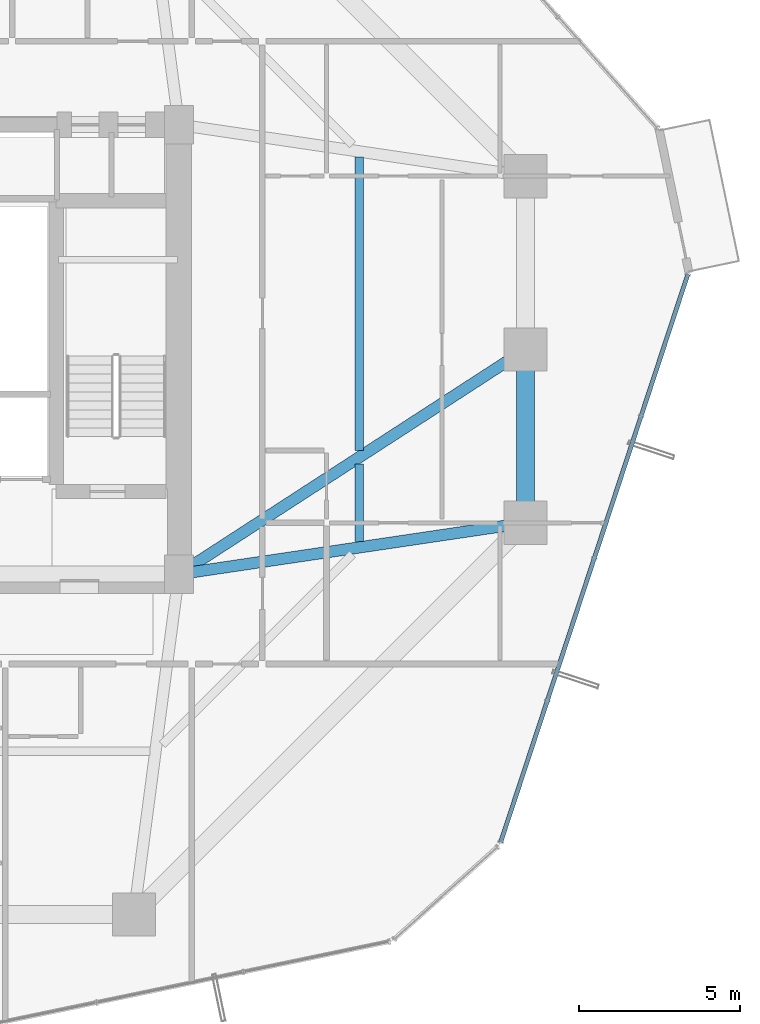
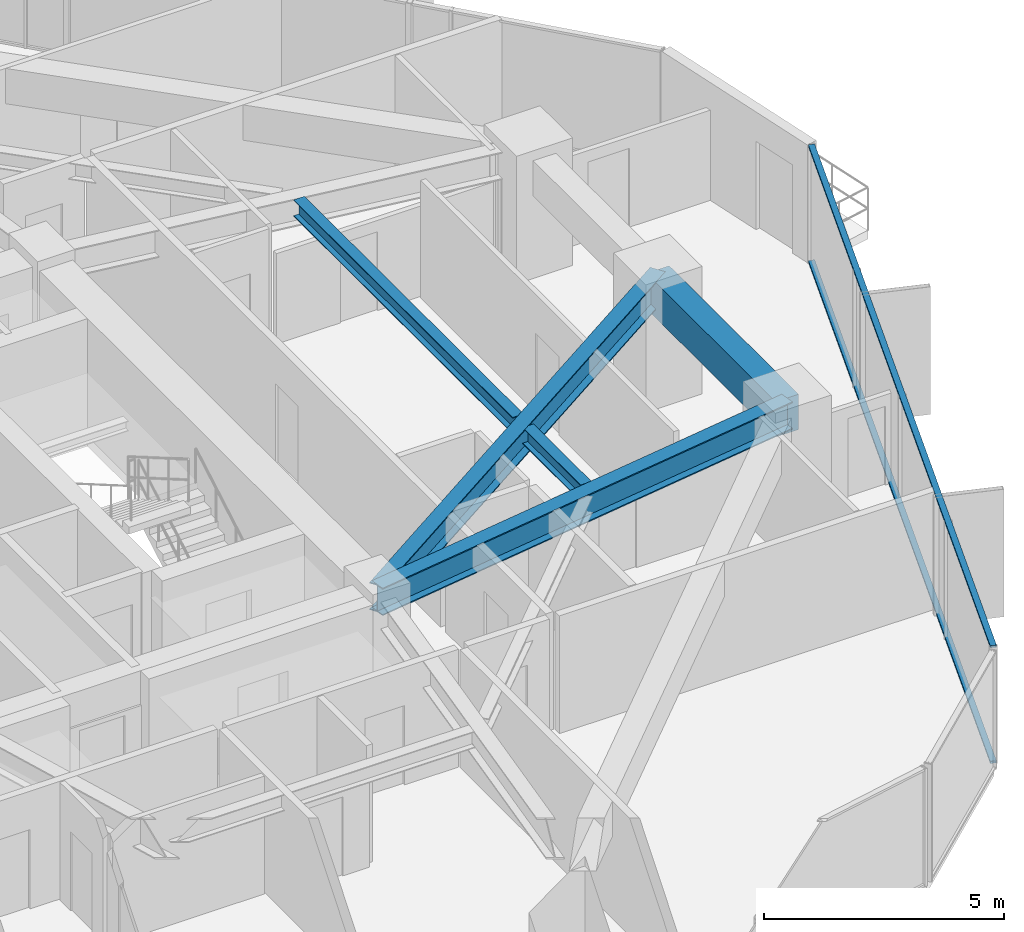
# One storey, part 17 of 38: 5 beams, 2 members, 1 element without a shape of its own.
"""IFC4 building model written with IfcOpenShell, lengths in metres."""

from ifc_helpers import new_model, si_unit, direction, frame, origin, origin_2d, place, context, subcontext, project, spatial, rectangle, hollow_rectangle, i_section, extrude, source, transform, mapped, material, layer, layer_set, material_profile, profile_set, type_object, element, aggregate, save


model = new_model("IFC4")

# Units and contexts
model_context = context("Model", 3, precision=1e-05, world=origin(), true_north=direction((0.0, 1.0)))
body_context = subcontext(model_context, "Body", "Model", "MODEL_VIEW")
ifc_project = project(units=[si_unit("LENGTHUNIT", "METRE"), si_unit("AREAUNIT", "SQUARE_METRE"), si_unit("VOLUMEUNIT", "CUBIC_METRE"), si_unit("PLANEANGLEUNIT", "RADIAN"), si_unit("MASSUNIT", "GRAM", prefix="KILO")], contexts=[model_context])

# Site, building, storey
site_placement = place(None, origin())
site = spatial("IfcSite", under=ifc_project, at=site_placement, CompositionType="ELEMENT")
building_placement = place(site_placement, origin())
building = spatial("IfcBuilding", under=site, at=building_placement, Name="Veraguas Prism Commons", CompositionType="ELEMENT")
storey_placement = place(building_placement, frame((0.0, 0.0, 64.10009765625)))
storey = spatial("IfcBuildingStorey", under=building, at=storey_placement, Name="L17", CompositionType="ELEMENT", Elevation=64.10009765625)

# Beams
ifc_material_1 = material(Name="Steel ASTM A992 Grade 50", Category="steel")
ifc_material_profile_1 = material_profile(ifc_material_1, i_section(OverallWidth=0.260986328125, OverallDepth=0.419921875, WebThickness=0.01171875, FlangeThickness=0.019287109375, at=origin_2d()), Name="W410X114")
ifc_profile_set_1 = profile_set([ifc_material_profile_1], Name="Steel ASTM A992 Grade 50")
beam_type_1 = type_object("IfcBeamType", Name="Lower Floor Joist W410x114", PredefinedType="JOIST", material=ifc_profile_set_1)
beam_1_placement = place(storey_placement, frame((36.416015625, 18.010009765625, 2.789794921875), z_axis=(0.0, 1.0, 0.0), x_axis=(-1.0, 0.0, 0.0)))
element("IfcBeam", 1, at=beam_1_placement, inside=storey, type_object=beam_type_1, Name="Composite Floor Joist L17-JS01", PredefinedType="JOIST", context=body_context, shape_type="SweptSolid", body=[
    extrude(i_section(OverallWidth=0.260986328125, OverallDepth=0.419921875, WebThickness=0.01171875, FlangeThickness=0.019287109375, at=origin_2d()), origin(), (0.0, 0.0, 1.0), 2.42041015625),
])
beam_2_placement = place(storey_placement, frame((36.416015625, 20.849609375, 2.789794921875), z_axis=(0.0, 1.0, 0.0), x_axis=(-1.0, 0.0, 0.0)))
element("IfcBeam", 2, at=beam_2_placement, inside=storey, type_object=beam_type_1, Name="Composite Floor Joist L17-JS02", PredefinedType="JOIST", context=body_context, shape_type="SweptSolid", body=[
    extrude(i_section(OverallWidth=0.260986328125, OverallDepth=0.419921875, WebThickness=0.01171875, FlangeThickness=0.019287109375, at=origin_2d()), origin(), (0.0, 0.0, 1.0), 9.140380859375),
])
ifc_material_2 = material(Name="Concrete C50/60", Category="concrete")
ifc_material_profile_2 = material_profile(ifc_material_2, rectangle(XDim=0.550048828125, YDim=0.89990234375, at=origin_2d()), Name="RC550X900")
ifc_profile_set_2 = profile_set([ifc_material_profile_2], Name="Concrete C50/60")
beam_type_2 = type_object("IfcBeamType", Name="Perimeter Spandrel Lower RC 550x900", PredefinedType="SPANDREL", material=ifc_profile_set_2)
beam_3_placement = place(storey_placement, frame((41.60009765625, 18.60009765625, 2.5498046875), z_axis=(0.0, 1.0, 0.0), x_axis=(-1.0, 0.0, 0.0)))
element("IfcBeam", 3, at=beam_3_placement, inside=storey, type_object=beam_type_2, Name="Perimeter Spandrel Beam L17-SP01", PredefinedType="SPANDREL", context=body_context, shape_type="SweptSolid", body=[
    extrude(rectangle(XDim=0.550048828125, YDim=0.89990234375, at=origin_2d()), origin(), (0.0, 0.0, 1.0), 5.39990234375),
])
ifc_material_profile_3 = material_profile(ifc_material_1, i_section(OverallWidth=0.35595703125, OverallDepth=0.700927734375, WebThickness=0.016845703125, FlangeThickness=0.02734375, at=origin_2d()), Name="W690X240")
ifc_profile_set_3 = profile_set([ifc_material_profile_3], Name="Steel ASTM A992 Grade 50")
beam_type_3 = type_object("IfcBeamType", Name="Zone 1 Radial Girder W690x240", PredefinedType="BEAM", material=ifc_profile_set_3)
beam_4_placement = place(storey_placement, frame((41.60009765625, 18.60009765625, 2.6494140625), z_axis=(-0.989202261707, -0.146556765224, 0.0), x_axis=(0.146556765224, -0.989202261707, 0.0)))
element("IfcBeam", 4, at=beam_4_placement, inside=storey, type_object=beam_type_3, Name="Radial Floor Girder L17-RD01", PredefinedType="BEAM", context=body_context, shape_type="SweptSolid", body=[
    extrude(i_section(OverallWidth=0.35595703125, OverallDepth=0.700927734375, WebThickness=0.016845703125, FlangeThickness=0.02734375, at=origin_2d()), origin(), (0.0, 0.0, 1.0), 10.91796875),
])
beam_5_placement = place(storey_placement, frame((41.60009765625, 24.0, 2.6494140625), z_axis=(-0.839154108875, -0.543893722668, 0.0), x_axis=(0.543893722668, -0.839154108875, 0.0)))
element("IfcBeam", 5, at=beam_5_placement, inside=storey, type_object=beam_type_3, Name="Radial Floor Girder L17-RD02", PredefinedType="BEAM", context=body_context, shape_type="SweptSolid", body=[
    extrude(i_section(OverallWidth=0.35595703125, OverallDepth=0.700927734375, WebThickness=0.016845703125, FlangeThickness=0.02734375, at=origin_2d()), origin(), (0.0, 0.0, 1.0), 12.8701171875),
])

# Curtain wall, members
ifc_material_3 = material(Name="Anodised aluminium EN AW-6063 T6", Category="aluminium")
ifc_layer = layer(ifc_material_3, 0.169921875, Name="Unitised Flush Curtain Wall Zone 1", Category="aluminium")
ifc_layer_set = layer_set([ifc_layer], Name="Anodised aluminium EN AW-6063 T6")
curtain_wall_type = type_object("IfcCurtainWallType", Name="Unitised Flush Curtain Wall Zone 1", PredefinedType="NOTDEFINED", material=ifc_layer_set)
curtain_wall_placement = place(storey_placement, origin())
curtain_wall = element("IfcCurtainWall", 6, at=curtain_wall_placement, inside=storey, type_object=curtain_wall_type, Name="Tower Facade Curtain Wall L17-F6", PredefinedType="NOTDEFINED")
ifc_material_profile_4 = material_profile(ifc_material_3, hollow_rectangle(XDim=0.054931640625, YDim=0.135009765625, WallThickness=0.0029296875, at=origin_2d()), Name="AL55X135X3")
ifc_profile_set_4 = profile_set([ifc_material_profile_4], Name="Anodised aluminium EN AW-6063 T6")
member_type = type_object("IfcMemberType", Name="Curtain Wall Transom Standard AL 55x135x3", PredefinedType="USERDEFINED", material=ifc_profile_set_4)
shared_shape = source(origin(), body_context, "Body", "SweptSolid", [
    extrude(hollow_rectangle(XDim=0.054931640625, YDim=0.135009765625, WallThickness=0.0029296875, at=origin_2d()), origin(), (0.0, 0.0, 1.0), 18.6240234375),
])
member_1_placement = place(storey_placement, frame((40.82568359375, 8.650390625, 0.02734375), z_axis=(0.312989325519, 0.949756643626, 0.0), x_axis=(0.0, 0.0, 1.0)))
member_1 = element("IfcMember", 7, at=member_1_placement, type_object=member_type, Name="CW-Z1 Transom 1", ObjectType="TRANSOM", PredefinedType="USERDEFINED", context=body_context, shape_type="MappedRepresentation", body=[
    mapped(shared_shape, transform((0.0, 0.0, 0.0), scale=1.0)),
])
member_2_placement = place(storey_placement, frame((40.82568359375, 8.650390625, 2.972412109375), z_axis=(0.312989325519, 0.949756643626, 0.0), x_axis=(0.0, 0.0, 1.0)))
member_2 = element("IfcMember", 8, at=member_2_placement, type_object=member_type, Name="CW-Z1 Transom 2", ObjectType="TRANSOM", PredefinedType="USERDEFINED", context=body_context, shape_type="MappedRepresentation", body=[
    mapped(shared_shape, transform((0.0, 0.0, 0.0), scale=1.0)),
])
aggregate(curtain_wall, [member_1, member_2])

save(model, "model.ifc")
